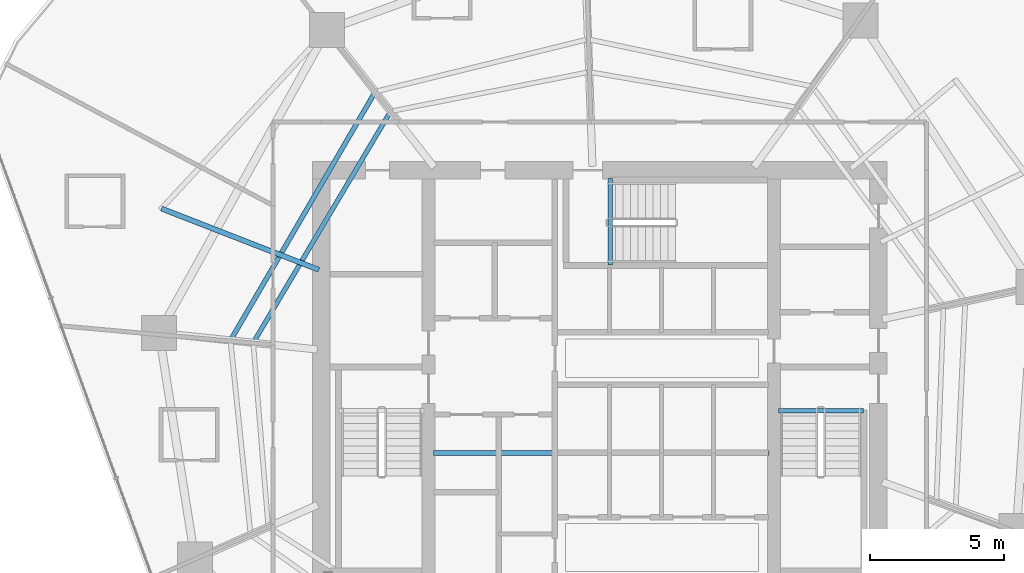
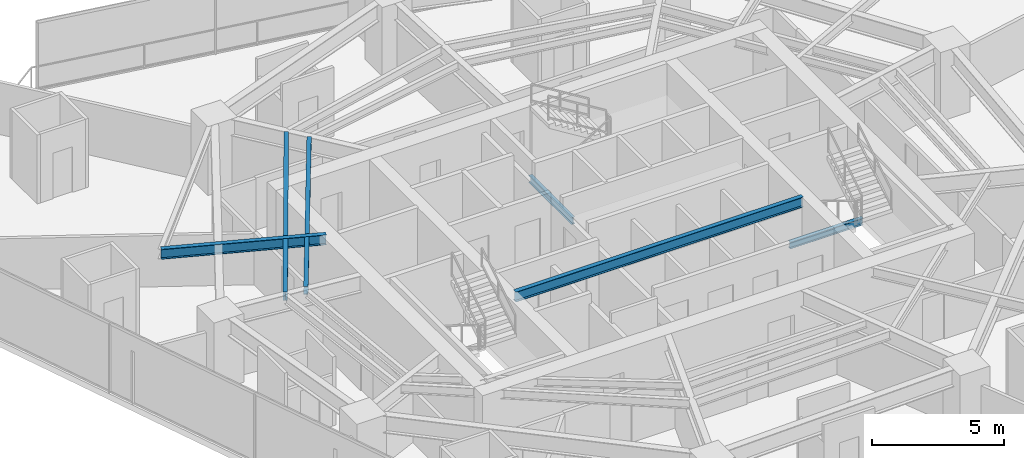
# One storey, part 10 of 33: 6 beams.
"""IFC4 building model written with IfcOpenShell, lengths in metres."""

from ifc_helpers import new_model, si_unit, direction, frame, origin, origin_2d, place, context, subcontext, project, spatial, i_section, extrude, material, material_profile, profile_set, type_object, element, save


model = new_model("IFC4")

# Units and contexts
model_context = context("Model", 3, precision=1e-05, world=origin(), true_north=direction((0.0, 1.0)))
body_context = subcontext(model_context, "Body", "Model", "MODEL_VIEW")
ifc_project = project(units=[si_unit("LENGTHUNIT", "METRE"), si_unit("AREAUNIT", "SQUARE_METRE"), si_unit("VOLUMEUNIT", "CUBIC_METRE"), si_unit("PLANEANGLEUNIT", "RADIAN"), si_unit("MASSUNIT", "GRAM", prefix="KILO")], contexts=[model_context])

# Site, building, storey
site_placement = place(None, origin())
site = spatial("IfcSite", under=ifc_project, at=site_placement, CompositionType="ELEMENT")
building_placement = place(site_placement, origin())
building = spatial("IfcBuilding", under=site, at=building_placement, Name="Qarnah Convention Tower", CompositionType="ELEMENT")
storey_placement = place(building_placement, frame((0.0, 0.0, 30.449951171875)))
storey = spatial("IfcBuildingStorey", under=building, at=storey_placement, Name="L06", CompositionType="ELEMENT", Elevation=30.449951171875)

# Beams
ifc_material = material(Name="Structural steel S355JR", Category="steel")
ifc_material_profile_1 = material_profile(ifc_material, i_section(OverallWidth=0.19189453125, OverallDepth=0.464111328125, WebThickness=0.010986328125, FlangeThickness=0.01806640625, at=origin_2d()), Name="W460X89")
ifc_profile_set_1 = profile_set([ifc_material_profile_1], Name="Structural steel S355JR")
beam_type_1 = type_object("IfcBeamType", Name="BM-CANT-W460A", PredefinedType="BEAM", material=ifc_profile_set_1)
beam_1_placement = place(storey_placement, frame((30.97998046875, 23.64990234375, 2.93798828125), z_axis=(1.0, 0.0, 0.0), x_axis=(0.0, 1.0, 0.0)))
element("IfcBeam", 1, at=beam_1_placement, inside=storey, type_object=beam_type_1, Name="L06 beam BM-L06-KC1", PredefinedType="BEAM", context=body_context, shape_type="SweptSolid", body=[
    extrude(i_section(OverallWidth=0.19189453125, OverallDepth=0.464111328125, WebThickness=0.010986328125, FlangeThickness=0.01806640625, at=origin_2d()), origin(), (0.0, 0.0, 1.0), 12.5400390625),
])
beam_2_placement = place(storey_placement, frame((26.70703125, 30.48388671875, 2.93798828125), z_axis=(-0.931897088326, 0.36272278226, 0.0), x_axis=(-0.36272278226, -0.931897088326, 0.0)))
element("IfcBeam", 2, at=beam_2_placement, inside=storey, type_object=beam_type_1, Name="L06 beam BM-L06-CNT-02-2", PredefinedType="BEAM", context=body_context, shape_type="SweptSolid", body=[
    extrude(i_section(OverallWidth=0.19189453125, OverallDepth=0.464111328125, WebThickness=0.010986328125, FlangeThickness=0.01806640625, at=origin_2d()), origin(), (0.0, 0.0, 1.0), 6.305419921875),
])
ifc_material_profile_2 = material_profile(ifc_material, i_section(OverallWidth=0.166015625, OverallDepth=0.31201171875, WebThickness=0.007080078125, FlangeThickness=0.010986328125, at=origin_2d()), Name="W310X45")
ifc_profile_set_2 = profile_set([ifc_material_profile_2], Name="Structural steel S355JR")
beam_type_2 = type_object("IfcBeamType", Name="BM-JST-W310", PredefinedType="JOIST", material=ifc_profile_set_2)
beam_3_placement = place(storey_placement, frame((43.860107421875, 25.217041015625, -0.156005859375), z_axis=(1.0, 0.0, 0.0), x_axis=(0.0, 1.0, 0.0)))
element("IfcBeam", 3, at=beam_3_placement, inside=storey, type_object=beam_type_2, Name="L06 stair landing trimmer beam BM-L06-ST2-TRM", PredefinedType="BEAM", context=body_context, shape_type="SweptSolid", body=[
    extrude(i_section(OverallWidth=0.166015625, OverallDepth=0.31201171875, WebThickness=0.007080078125, FlangeThickness=0.010986328125, at=origin_2d()), origin(), (0.0, 0.0, 1.0), 3.179931640625),
])
beam_4_placement = place(storey_placement, frame((37.5830078125, 30.659912109375, -0.156005859375), z_axis=(0.0, 1.0, 0.0), x_axis=(-1.0, 0.0, 0.0)))
element("IfcBeam", 4, at=beam_4_placement, inside=storey, type_object=beam_type_2, Name="L06 stair landing trimmer beam BM-L06-ST3-TRM", PredefinedType="BEAM", context=body_context, shape_type="SweptSolid", body=[
    extrude(i_section(OverallWidth=0.166015625, OverallDepth=0.31201171875, WebThickness=0.007080078125, FlangeThickness=0.010986328125, at=origin_2d()), origin(), (0.0, 0.0, 1.0), 3.239990234375),
])
ifc_material_profile_3 = material_profile(ifc_material, i_section(OverallWidth=0.172119140625, OverallDepth=0.35595703125, WebThickness=0.007080078125, FlangeThickness=0.011962890625, at=origin_2d()), Name="W360X51")
ifc_profile_set_3 = profile_set([ifc_material_profile_3], Name="Structural steel S355JR")
beam_type_3 = type_object("IfcBeamType", Name="BM-JST-W360", PredefinedType="JOIST", material=ifc_profile_set_3)
beam_5_placement = place(storey_placement, frame((29.340087890625, 36.324951171875, 2.991943359375), z_axis=(-0.510529038741, -0.859860512294, 0.0), x_axis=(0.859860512294, -0.510529038741, 0.0)))
element("IfcBeam", 5, at=beam_5_placement, inside=storey, type_object=beam_type_3, Name="L06 joist BM-L06-IJST-04", PredefinedType="JOIST", context=body_context, shape_type="SweptSolid", body=[
    extrude(i_section(OverallWidth=0.172119140625, OverallDepth=0.35595703125, WebThickness=0.007080078125, FlangeThickness=0.011962890625, at=origin_2d()), origin(), (0.0, 0.0, 1.0), 9.870361328125),
])
ifc_material_profile_4 = material_profile(ifc_material, i_section(OverallWidth=0.177978515625, OverallDepth=0.407958984375, WebThickness=0.008056640625, FlangeThickness=0.012939453125, at=origin_2d()), Name="W410X60")
ifc_profile_set_4 = profile_set([ifc_material_profile_4], Name="Structural steel S355JR")
beam_type_4 = type_object("IfcBeamType", Name="BM-JST-W410", PredefinedType="JOIST", material=ifc_profile_set_4)
beam_6_placement = place(storey_placement, frame((28.76806640625, 37.05810546875, 2.966064453125), z_axis=(-0.503182646142, -0.864180088073, 0.0), x_axis=(0.864180088073, -0.503182646142, 0.0)))
element("IfcBeam", 6, at=beam_6_placement, inside=storey, type_object=beam_type_4, Name="L06 joist BM-L06-SJST-04", PredefinedType="JOIST", context=body_context, shape_type="SweptSolid", body=[
    extrude(i_section(OverallWidth=0.177978515625, OverallDepth=0.407958984375, WebThickness=0.008056640625, FlangeThickness=0.012939453125, at=origin_2d()), origin(), (0.0, 0.0, 1.0), 10.565185546875),
])

save(model, "model.ifc")
